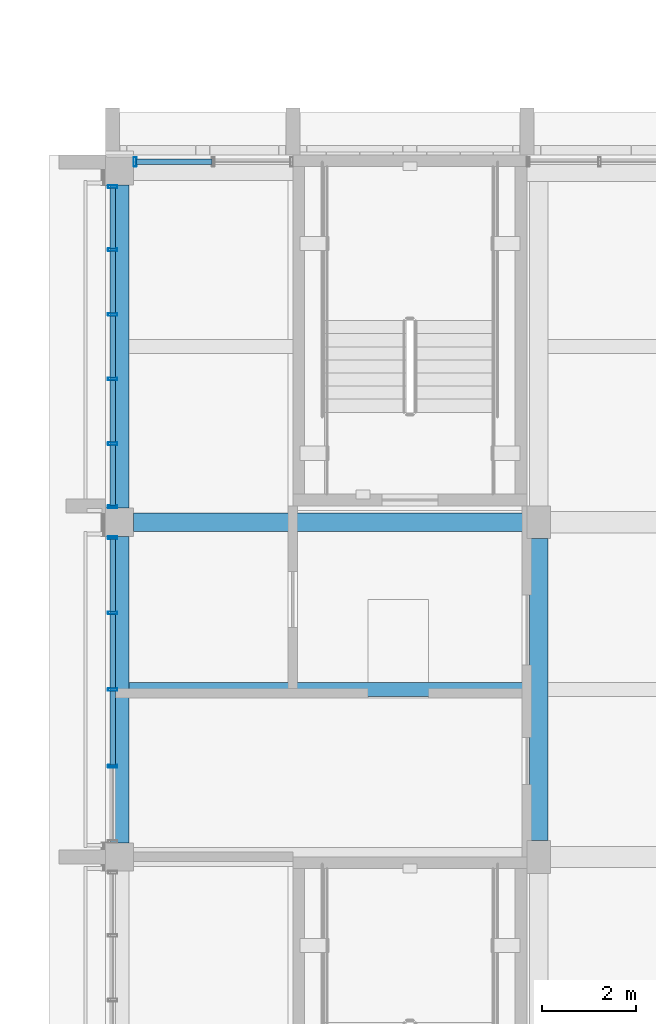
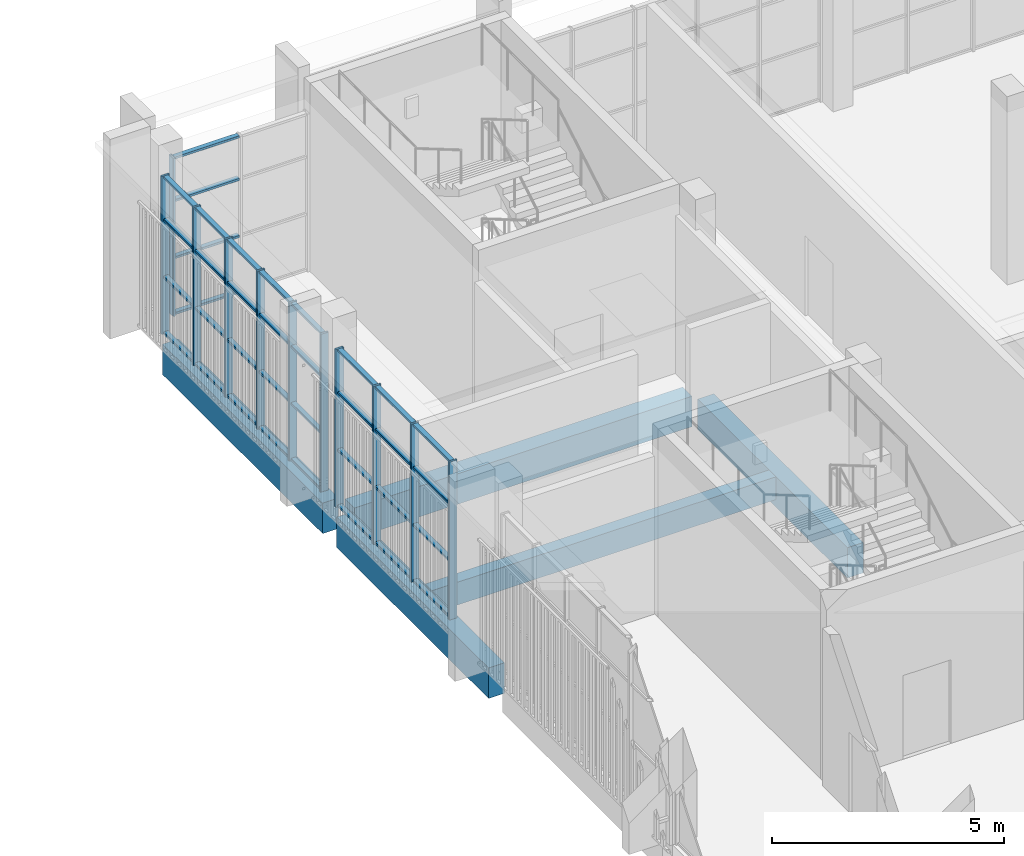
# One storey, part 49 of 125: 47 members, 5 beams, 3 elements without a shape of their own.
"""IFC4 building model written with IfcOpenShell, lengths in metres."""

import ifcopenshell
import ifcopenshell.guid

model = None  # the IFC model being written
_history = None  # IfcOwnerHistory: only IFC2X3 demands one
_inside = {}  # id of a spatial element -> (the spatial element, [elements in it])
_under = {}  # id of a project, library or spatial element -> (it, [spatial elements below it])
_declared = {}  # id of a project -> (the project, [libraries it declares])
_typed = {}  # id of a type object -> (the type object, [elements of that type])
_made_of = {}  # id of a material, layer set ... -> (it, [elements and type objects made of it])


def new_model(schema):
    """Start an empty IFC model of exactly this schema.

    Asked for "IFC4X3", IfcOpenShell would pick the latest addendum, in which some entities
    have other attributes; the version numbers below select the first issue.
    IFC2X3 requires an IfcOwnerHistory on every rooted entity: one is made here for all.
    """
    global model, _history
    if schema == "IFC4X3":
        model = ifcopenshell.file(schema_version=(4, 3, 0, 0))
    else:
        model = ifcopenshell.file(schema=schema)
    _inside.clear()
    _under.clear()
    _declared.clear()
    _typed.clear()
    _made_of.clear()
    _history = None
    if model.schema == "IFC2X3":
        org = make("IfcOrganization", Name="unknown")
        user = make(
            "IfcPersonAndOrganization",
            ThePerson=make("IfcPerson", FamilyName="unknown"),
            TheOrganization=org,
        )
        app = make(
            "IfcApplication",
            ApplicationDeveloper=org,
            Version="unknown",
            ApplicationFullName="unknown",
            ApplicationIdentifier="unknown",
        )
        _history = make(
            "IfcOwnerHistory",
            OwningUser=user,
            OwningApplication=app,
            ChangeAction="ADDED",
            CreationDate=0,
        )
    return model


def make(cls, **values):
    """One entity of the class cls with the attributes given. An attribute that is None is left unset."""
    return model.create_entity(
        cls, **{name: value for name, value in values.items() if value is not None}
    )


def rooted(cls, **values):
    """An entity with a GlobalId (a new one), such as an element, a storey or a relation."""
    return make(cls, GlobalId=ifcopenshell.guid.new(), OwnerHistory=_history, **values)


def si_unit(unit_type, name, prefix=None):
    """IfcSIUnit, for example si_unit("LENGTHUNIT", "METRE", prefix="MILLI")."""
    return make("IfcSIUnit", UnitType=unit_type, Prefix=prefix, Name=name)


def assignment(units):
    """IfcUnitAssignment: the units of a project."""
    return None if units is None else make("IfcUnitAssignment", Units=units)


def point(xyz):
    """IfcCartesianPoint."""
    return None if xyz is None else make("IfcCartesianPoint", Coordinates=xyz)


def direction(xyz):
    """IfcDirection."""
    return None if xyz is None else make("IfcDirection", DirectionRatios=xyz)


def frame(location, z_axis=None, x_axis=None):
    """IfcAxis2Placement3D, a coordinate frame: its origin and axes. An axis left out is left unset."""
    return make(
        "IfcAxis2Placement3D",
        Location=point(location),
        Axis=direction(z_axis),
        RefDirection=direction(x_axis),
    )


def frame_2d(location, x_axis=None):
    """IfcAxis2Placement2D, a coordinate frame in the plane: its origin and x axis."""
    return make(
        "IfcAxis2Placement2D", Location=point(location), RefDirection=direction(x_axis)
    )


def origin():
    """The frame at (0, 0, 0) with its axes left unset."""
    return frame((0.0, 0.0, 0.0))


def origin_2d():
    """The frame at (0, 0) in the plane with its x axis left unset."""
    return frame_2d((0.0, 0.0))


def place(relative_to, where):
    """IfcLocalPlacement: puts the frame where relative to a parent placement (None: the world)."""
    return make(
        "IfcLocalPlacement", PlacementRelTo=relative_to, RelativePlacement=where
    )


def context(
    kind, dimensions, precision=None, world=None, true_north=None, identifier=None
):
    """IfcGeometricRepresentationContext, for example the 3D "Model" context."""
    return make(
        "IfcGeometricRepresentationContext",
        ContextIdentifier=identifier,
        ContextType=kind,
        CoordinateSpaceDimension=dimensions,
        Precision=precision,
        WorldCoordinateSystem=world,
        TrueNorth=true_north,
    )


def subcontext(parent, identifier, kind, view, scale=None):
    """IfcGeometricRepresentationSubContext, for example "Body" below "Model"."""
    return make(
        "IfcGeometricRepresentationSubContext",
        ContextIdentifier=identifier,
        ContextType=kind,
        ParentContext=parent,
        TargetScale=scale,
        TargetView=view,
    )


def project(units=None, contexts=None):
    """IfcProject with its units and contexts."""
    return rooted(
        "IfcProject",
        Name="project",
        RepresentationContexts=contexts,
        UnitsInContext=assignment(units),
    )


def spatial(cls, under=None, at=None, **own):
    """A site, building, storey or space (cls), placed at a placement, below another one or the project."""
    s = rooted(cls, ObjectPlacement=at, **own)
    if under is not None:
        _under.setdefault(under.id(), (under, []))[1].append(s)
    return s


def profile(cls, at=None, kind="AREA", **sizes):
    """A parametric profile (cls). Its sizes go by their IFC names, for example OverallWidth=200.0."""
    return make(cls, ProfileType=kind, Position=at, **sizes)


def rectangle(**sizes):
    """IfcRectangleProfileDef."""
    return profile("IfcRectangleProfileDef", **sizes)


def hollow_rectangle(**sizes):
    """IfcRectangleHollowProfileDef."""
    return profile("IfcRectangleHollowProfileDef", **sizes)


def extrude(swept, where, along, depth):
    """IfcExtrudedAreaSolid: the profile swept, set in the frame where, extruded along a direction by depth."""
    return make(
        "IfcExtrudedAreaSolid",
        SweptArea=swept,
        Position=where,
        ExtrudedDirection=direction(along),
        Depth=depth,
    )


def shape(context_of_items, identifier, shape_type, items):
    """IfcShapeRepresentation: the items that make up one representation, for example the "Body"."""
    return make(
        "IfcShapeRepresentation",
        ContextOfItems=context_of_items,
        RepresentationIdentifier=identifier,
        RepresentationType=shape_type,
        Items=items,
    )


def material(Name=None, Category=None):
    """IfcMaterial."""
    return make("IfcMaterial", Name=Name, Category=Category)


def material_profile(
    of_material, cross_section, Name=None, Category=None, Priority=None
):
    """IfcMaterialProfile: a cross section and its material."""
    return make(
        "IfcMaterialProfile",
        Name=Name,
        Material=of_material,
        Profile=cross_section,
        Priority=Priority,
        Category=Category,
    )


def profile_set(profiles, Name=None, composite=None):
    """IfcMaterialProfileSet."""
    return make(
        "IfcMaterialProfileSet",
        Name=Name,
        MaterialProfiles=profiles,
        CompositeProfile=composite,
    )


def made_of(thing, what):
    """Note that an element or type object is made of a material, layer set ...; save() writes the relation."""
    if what is not None:
        _made_of.setdefault(what.id(), (what, []))[1].append(thing)
    return thing


def type_object(cls, material=None, **own):
    """A type object (cls), such as IfcWallType, which elements share."""
    return made_of(rooted(cls, **own), material)


def element(
    cls,
    number,
    at=None,
    inside=None,
    cuts=None,
    type_object=None,
    material=None,
    context=None,
    identifier="Body",
    shape_type=None,
    held_by="IfcProductDefinitionShape",
    body=None,
    shapes=None,
    **own,
):
    """One element of the class cls, such as IfcWall. Its Tag is "e" and its number.

    at: its placement. inside: the storey or other place that contains it. cuts: it is an
    opening in that element (IfcRelVoidsElement). A single representation is given by context,
    identifier, shape_type and body (its items); several are given by shapes. held_by: the class
    of the entity that holds the representations. save() writes the other relations.
    """
    e = rooted(cls, Tag="e%d" % number, ObjectPlacement=at, **own)
    if body is not None:
        shapes = [shape(context, identifier, shape_type, body)]
    if shapes is not None:
        e.Representation = make(held_by, Representations=shapes)
    if inside is not None:
        _inside.setdefault(inside.id(), (inside, []))[1].append(e)
    if cuts is not None:
        rooted(
            "IfcRelVoidsElement", RelatingBuildingElement=cuts, RelatedOpeningElement=e
        )
    if type_object is not None:
        _typed.setdefault(type_object.id(), (type_object, []))[1].append(e)
    return made_of(e, material)


def aggregate(whole, parts):
    """IfcRelAggregates: a whole, such as a stair, and the parts it consists of."""
    return rooted("IfcRelAggregates", RelatingObject=whole, RelatedObjects=parts)


def save(model, path):
    """Write the relations noted so far, then the file.

    IfcRelAggregates (storeys below a building ...), IfcRelContainedInSpatialStructure (elements
    in a storey), IfcRelDefinesByType, IfcRelAssociatesMaterial and IfcRelDeclares: one each for
    every whole, place, type object, material and project.
    """
    for whole, parts in _under.values():
        aggregate(whole, parts)
    for where, things in _inside.values():
        rooted(
            "IfcRelContainedInSpatialStructure",
            RelatedElements=things,
            RelatingStructure=where,
        )
    for kind, things in _typed.values():
        rooted("IfcRelDefinesByType", RelatedObjects=things, RelatingType=kind)
    for what, things in _made_of.values():
        rooted("IfcRelAssociatesMaterial", RelatedObjects=things, RelatingMaterial=what)
    for by, libraries in _declared.values():
        rooted("IfcRelDeclares", RelatingContext=by, RelatedDefinitions=libraries)
    model.write(path)


model = new_model("IFC4")

# Units and contexts
model_context = context("Model", 3, precision=1e-05, world=origin(), true_north=direction((0.0, 1.0)))
body_context = subcontext(model_context, "Body", "Model", "MODEL_VIEW")
ifc_project = project(units=[si_unit("LENGTHUNIT", "METRE"), si_unit("AREAUNIT", "SQUARE_METRE"), si_unit("VOLUMEUNIT", "CUBIC_METRE"), si_unit("PLANEANGLEUNIT", "RADIAN"), si_unit("MASSUNIT", "GRAM", prefix="KILO")], contexts=[model_context])

# Site, building, storey
site_placement = place(None, origin())
site = spatial("IfcSite", under=ifc_project, at=site_placement, CompositionType="ELEMENT")
building_placement = place(site_placement, origin())
building = spatial("IfcBuilding", under=site, at=building_placement, Name="Sun Court Science Centre", CompositionType="ELEMENT")
storey_placement = place(building_placement, frame((0.0, 0.0, 6.0)))
storey = spatial("IfcBuildingStorey", under=building, at=storey_placement, Name="L01", CompositionType="ELEMENT", Elevation=6.0)

# Curtain wall, members
ifc_material_1 = material(Name="Aluminium EN AW-6063 T6", Category="aluminium")
curtain_wall_type = type_object("IfcCurtainWallType", Name="Laboratory tall bay curtain wall 1500", PredefinedType="NOTDEFINED", material=ifc_material_1)
curtain_wall_1_placement = place(storey_placement, origin())
curtain_wall_1 = element("IfcCurtainWall", 1, at=curtain_wall_1_placement, inside=storey, type_object=curtain_wall_type, Name="Curtain wall V4 W L01 08", PredefinedType="NOTDEFINED")
ifc_material_2 = material(Name="Aluminium EN AW-6063 T6", Category="aluminium")
ifc_material_profile_1 = material_profile(ifc_material_2, hollow_rectangle(XDim=0.06005859375, YDim=0.199951171875, WallThickness=0.0048828125, InnerFilletRadius=0.0048828125, OuterFilletRadius=0.007568359375, at=origin_2d()), Name="AL 60x200x5")
ifc_profile_set_1 = profile_set([ifc_material_profile_1], Name="Aluminium EN AW-6063 T6")
member_type_1 = type_object("IfcMemberType", Name="Curtain wall mullion AL 60x200", PredefinedType="MULLION", material=ifc_profile_set_1)
member_1_placement = place(storey_placement, frame((78.14990234375, 67.9375, 0.0), z_axis=(0.0, 0.0, 1.0), x_axis=(0.0, 1.0, 0.0)))
member_1 = element("IfcMember", 2, at=member_1_placement, type_object=member_type_1, Name="CW2-17 mullion 2", PredefinedType="MULLION", context=body_context, shape_type="SweptSolid", body=[
    extrude(hollow_rectangle(XDim=0.06005859375, YDim=0.199951171875, WallThickness=0.0048828125, InnerFilletRadius=0.0048828125, OuterFilletRadius=0.007568359375, at=origin_2d()), origin(), (0.0, 0.0, 1.0), 4.14990234375),
])
member_2_placement = place(storey_placement, frame((78.14990234375, 69.574951171875, 0.0), z_axis=(0.0, 0.0, 1.0), x_axis=(0.0, 1.0, 0.0)))
member_2 = element("IfcMember", 3, at=member_2_placement, type_object=member_type_1, Name="CW2-17 mullion 3", PredefinedType="MULLION", context=body_context, shape_type="SweptSolid", body=[
    extrude(hollow_rectangle(XDim=0.06005859375, YDim=0.199951171875, WallThickness=0.0048828125, InnerFilletRadius=0.0048828125, OuterFilletRadius=0.007568359375, at=origin_2d()), origin(), (0.0, 0.0, 1.0), 4.14990234375),
])
member_3_placement = place(storey_placement, frame((78.14990234375, 71.21240234375, 0.0), z_axis=(0.0, 0.0, 1.0), x_axis=(0.0, 1.0, 0.0)))
member_3 = element("IfcMember", 4, at=member_3_placement, type_object=member_type_1, Name="CW2-17 mullion 4", PredefinedType="MULLION", context=body_context, shape_type="SweptSolid", body=[
    extrude(hollow_rectangle(XDim=0.06005859375, YDim=0.199951171875, WallThickness=0.0048828125, InnerFilletRadius=0.0048828125, OuterFilletRadius=0.007568359375, at=origin_2d()), origin(), (0.0, 0.0, 1.0), 4.14990234375),
])
member_4_placement = place(storey_placement, frame((78.14990234375, 72.820068359375, 0.0), z_axis=(0.0, 0.0, 1.0), x_axis=(0.0, 1.0, 0.0)))
member_4 = element("IfcMember", 5, at=member_4_placement, type_object=member_type_1, Name="CW2-17 mullion 5", PredefinedType="MULLION", context=body_context, shape_type="SweptSolid", body=[
    extrude(hollow_rectangle(XDim=0.06005859375, YDim=0.199951171875, WallThickness=0.0048828125, InnerFilletRadius=0.0048828125, OuterFilletRadius=0.007568359375, at=origin_2d()), origin(), (0.0, 0.0, 1.0), 4.14990234375),
])

curtain_wall_2_placement = place(storey_placement, origin())
curtain_wall_2 = element("IfcCurtainWall", 6, at=curtain_wall_2_placement, inside=storey, type_object=curtain_wall_type, Name="Curtain wall V4 W L01 09", PredefinedType="NOTDEFINED")
member_5_placement = place(storey_placement, frame((78.14990234375, 73.47998046875, 0.0), z_axis=(0.0, 0.0, 1.0), x_axis=(0.0, 1.0, 0.0)))
member_5 = element("IfcMember", 7, at=member_5_placement, type_object=member_type_1, Name="CW2-18 mullion 1", PredefinedType="MULLION", context=body_context, shape_type="SweptSolid", body=[
    extrude(hollow_rectangle(XDim=0.06005859375, YDim=0.199951171875, WallThickness=0.0048828125, InnerFilletRadius=0.0048828125, OuterFilletRadius=0.007568359375, at=origin_2d()), origin(), (0.0, 0.0, 1.0), 4.14990234375),
])
member_6_placement = place(storey_placement, frame((78.14990234375, 74.830078125, 0.0), z_axis=(0.0, 0.0, 1.0), x_axis=(0.0, 1.0, 0.0)))
member_6 = element("IfcMember", 8, at=member_6_placement, type_object=member_type_1, Name="CW2-18 mullion 2", PredefinedType="MULLION", context=body_context, shape_type="SweptSolid", body=[
    extrude(hollow_rectangle(XDim=0.06005859375, YDim=0.199951171875, WallThickness=0.0048828125, InnerFilletRadius=0.0048828125, OuterFilletRadius=0.007568359375, at=origin_2d()), origin(), (0.0, 0.0, 1.0), 4.14990234375),
])
member_7_placement = place(storey_placement, frame((78.14990234375, 76.2099609375, 0.0), z_axis=(0.0, 0.0, 1.0), x_axis=(0.0, 1.0, 0.0)))
member_7 = element("IfcMember", 9, at=member_7_placement, type_object=member_type_1, Name="CW2-18 mullion 3", PredefinedType="MULLION", context=body_context, shape_type="SweptSolid", body=[
    extrude(hollow_rectangle(XDim=0.06005859375, YDim=0.199951171875, WallThickness=0.0048828125, InnerFilletRadius=0.0048828125, OuterFilletRadius=0.007568359375, at=origin_2d()), origin(), (0.0, 0.0, 1.0), 4.14990234375),
])
member_8_placement = place(storey_placement, frame((78.14990234375, 77.590087890625, 0.0), z_axis=(0.0, 0.0, 1.0), x_axis=(0.0, 1.0, 0.0)))
member_8 = element("IfcMember", 10, at=member_8_placement, type_object=member_type_1, Name="CW2-18 mullion 4", PredefinedType="MULLION", context=body_context, shape_type="SweptSolid", body=[
    extrude(hollow_rectangle(XDim=0.06005859375, YDim=0.199951171875, WallThickness=0.0048828125, InnerFilletRadius=0.0048828125, OuterFilletRadius=0.007568359375, at=origin_2d()), origin(), (0.0, 0.0, 1.0), 4.14990234375),
])
member_9_placement = place(storey_placement, frame((78.14990234375, 78.969970703125, 0.0), z_axis=(0.0, 0.0, 1.0), x_axis=(0.0, 1.0, 0.0)))
member_9 = element("IfcMember", 11, at=member_9_placement, type_object=member_type_1, Name="CW2-18 mullion 5", PredefinedType="MULLION", context=body_context, shape_type="SweptSolid", body=[
    extrude(hollow_rectangle(XDim=0.06005859375, YDim=0.199951171875, WallThickness=0.0048828125, InnerFilletRadius=0.0048828125, OuterFilletRadius=0.007568359375, at=origin_2d()), origin(), (0.0, 0.0, 1.0), 4.14990234375),
])
member_10_placement = place(storey_placement, frame((78.14990234375, 80.320068359375, 0.0), z_axis=(0.0, 0.0, 1.0), x_axis=(0.0, 1.0, 0.0)))
member_10 = element("IfcMember", 12, at=member_10_placement, type_object=member_type_1, Name="CW2-18 mullion 6", PredefinedType="MULLION", context=body_context, shape_type="SweptSolid", body=[
    extrude(hollow_rectangle(XDim=0.06005859375, YDim=0.199951171875, WallThickness=0.0048828125, InnerFilletRadius=0.0048828125, OuterFilletRadius=0.007568359375, at=origin_2d()), origin(), (0.0, 0.0, 1.0), 4.14990234375),
])

# Curtain wall, member
curtain_wall_3_placement = place(storey_placement, origin())
curtain_wall_3 = element("IfcCurtainWall", 13, at=curtain_wall_3_placement, inside=storey, type_object=curtain_wall_type, Name="Curtain wall V4 N L01 01", PredefinedType="NOTDEFINED")
member_11_placement = place(storey_placement, frame((78.6298828125, 80.85009765625, 0.0), z_axis=(0.0, 0.0, 1.0), x_axis=(1.0, 0.0, 0.0)))
member_11 = element("IfcMember", 14, at=member_11_placement, type_object=member_type_1, Name="CW2-64 mullion 1", PredefinedType="MULLION", context=body_context, shape_type="SweptSolid", body=[
    extrude(hollow_rectangle(XDim=0.06005859375, YDim=0.199951171875, WallThickness=0.0048828125, InnerFilletRadius=0.0048828125, OuterFilletRadius=0.007568359375, at=origin_2d()), origin(), (0.0, 0.0, 1.0), 4.14990234375),
])

# Member
ifc_material_3 = material(Name="Aluminium EN AW-6063 T6", Category="aluminium")
ifc_material_profile_2 = material_profile(ifc_material_3, hollow_rectangle(XDim=0.06005859375, YDim=0.1201171875, WallThickness=0.00390625, InnerFilletRadius=0.00390625, OuterFilletRadius=0.006103515625, at=origin_2d()), Name="AL 60x120x4")
ifc_profile_set_2 = profile_set([ifc_material_profile_2], Name="Aluminium EN AW-6063 T6")
member_type_2 = type_object("IfcMemberType", Name="Curtain wall transom AL 60x120", PredefinedType="USERDEFINED", material=ifc_profile_set_2)
member_12_placement = place(storey_placement, frame((78.14990234375, 67.967529296875, 0.030029296875), z_axis=(0.0, 1.0, 0.0), x_axis=(0.0, 0.0, 1.0)))
member_12 = element("IfcMember", 15, at=member_12_placement, type_object=member_type_2, Name="CW2-17 transom 2.1", ObjectType="TRANSOM", PredefinedType="USERDEFINED", context=body_context, shape_type="SweptSolid", body=[
    extrude(hollow_rectangle(XDim=0.06005859375, YDim=0.1201171875, WallThickness=0.00390625, InnerFilletRadius=0.00390625, OuterFilletRadius=0.006103515625, at=origin_2d()), origin(), (0.0, 0.0, 1.0), 1.577392578125),
])

member_13_placement = place(storey_placement, frame((78.14990234375, 69.60498046875, 0.030029296875), z_axis=(0.0, 1.0, 0.0), x_axis=(0.0, 0.0, 1.0)))
member_13 = element("IfcMember", 16, at=member_13_placement, type_object=member_type_2, Name="CW2-17 transom 3.1", ObjectType="TRANSOM", PredefinedType="USERDEFINED", context=body_context, shape_type="SweptSolid", body=[
    extrude(hollow_rectangle(XDim=0.06005859375, YDim=0.1201171875, WallThickness=0.00390625, InnerFilletRadius=0.00390625, OuterFilletRadius=0.006103515625, at=origin_2d()), origin(), (0.0, 0.0, 1.0), 1.57763671875),
])

member_14_placement = place(storey_placement, frame((78.14990234375, 71.242431640625, 0.030029296875), z_axis=(0.0, 1.0, 0.0), x_axis=(0.0, 0.0, 1.0)))
member_14 = element("IfcMember", 17, at=member_14_placement, type_object=member_type_2, Name="CW2-17 transom 4.1", ObjectType="TRANSOM", PredefinedType="USERDEFINED", context=body_context, shape_type="SweptSolid", body=[
    extrude(hollow_rectangle(XDim=0.06005859375, YDim=0.1201171875, WallThickness=0.00390625, InnerFilletRadius=0.00390625, OuterFilletRadius=0.006103515625, at=origin_2d()), origin(), (0.0, 0.0, 1.0), 1.547607421875),
])

member_15_placement = place(storey_placement, frame((78.14990234375, 67.967529296875, 1.5), z_axis=(0.0, 1.0, 0.0), x_axis=(0.0, 0.0, 1.0)))
member_15 = element("IfcMember", 18, at=member_15_placement, type_object=member_type_2, Name="CW2-17 transom 2.2", ObjectType="TRANSOM", PredefinedType="USERDEFINED", context=body_context, shape_type="SweptSolid", body=[
    extrude(hollow_rectangle(XDim=0.06005859375, YDim=0.1201171875, WallThickness=0.00390625, InnerFilletRadius=0.00390625, OuterFilletRadius=0.006103515625, at=origin_2d()), origin(), (0.0, 0.0, 1.0), 1.577392578125),
])

member_16_placement = place(storey_placement, frame((78.14990234375, 69.60498046875, 1.5), z_axis=(0.0, 1.0, 0.0), x_axis=(0.0, 0.0, 1.0)))
member_16 = element("IfcMember", 19, at=member_16_placement, type_object=member_type_2, Name="CW2-17 transom 3.2", ObjectType="TRANSOM", PredefinedType="USERDEFINED", context=body_context, shape_type="SweptSolid", body=[
    extrude(hollow_rectangle(XDim=0.06005859375, YDim=0.1201171875, WallThickness=0.00390625, InnerFilletRadius=0.00390625, OuterFilletRadius=0.006103515625, at=origin_2d()), origin(), (0.0, 0.0, 1.0), 1.57763671875),
])

member_17_placement = place(storey_placement, frame((78.14990234375, 71.242431640625, 1.5), z_axis=(0.0, 1.0, 0.0), x_axis=(0.0, 0.0, 1.0)))
member_17 = element("IfcMember", 20, at=member_17_placement, type_object=member_type_2, Name="CW2-17 transom 4.2", ObjectType="TRANSOM", PredefinedType="USERDEFINED", context=body_context, shape_type="SweptSolid", body=[
    extrude(hollow_rectangle(XDim=0.06005859375, YDim=0.1201171875, WallThickness=0.00390625, InnerFilletRadius=0.00390625, OuterFilletRadius=0.006103515625, at=origin_2d()), origin(), (0.0, 0.0, 1.0), 1.547607421875),
])

member_18_placement = place(storey_placement, frame((78.14990234375, 67.967529296875, 3.0), z_axis=(0.0, 1.0, 0.0), x_axis=(0.0, 0.0, 1.0)))
member_18 = element("IfcMember", 21, at=member_18_placement, type_object=member_type_2, Name="CW2-17 transom 2.3", ObjectType="TRANSOM", PredefinedType="USERDEFINED", context=body_context, shape_type="SweptSolid", body=[
    extrude(hollow_rectangle(XDim=0.06005859375, YDim=0.1201171875, WallThickness=0.00390625, InnerFilletRadius=0.00390625, OuterFilletRadius=0.006103515625, at=origin_2d()), origin(), (0.0, 0.0, 1.0), 1.577392578125),
])

member_19_placement = place(storey_placement, frame((78.14990234375, 69.60498046875, 3.0), z_axis=(0.0, 1.0, 0.0), x_axis=(0.0, 0.0, 1.0)))
member_19 = element("IfcMember", 22, at=member_19_placement, type_object=member_type_2, Name="CW2-17 transom 3.3", ObjectType="TRANSOM", PredefinedType="USERDEFINED", context=body_context, shape_type="SweptSolid", body=[
    extrude(hollow_rectangle(XDim=0.06005859375, YDim=0.1201171875, WallThickness=0.00390625, InnerFilletRadius=0.00390625, OuterFilletRadius=0.006103515625, at=origin_2d()), origin(), (0.0, 0.0, 1.0), 1.57763671875),
])

member_20_placement = place(storey_placement, frame((78.14990234375, 71.242431640625, 3.0), z_axis=(0.0, 1.0, 0.0), x_axis=(0.0, 0.0, 1.0)))
member_20 = element("IfcMember", 23, at=member_20_placement, type_object=member_type_2, Name="CW2-17 transom 4.3", ObjectType="TRANSOM", PredefinedType="USERDEFINED", context=body_context, shape_type="SweptSolid", body=[
    extrude(hollow_rectangle(XDim=0.06005859375, YDim=0.1201171875, WallThickness=0.00390625, InnerFilletRadius=0.00390625, OuterFilletRadius=0.006103515625, at=origin_2d()), origin(), (0.0, 0.0, 1.0), 1.547607421875),
])

member_21_placement = place(storey_placement, frame((78.14990234375, 67.967529296875, 4.1201171875), z_axis=(0.0, 1.0, 0.0), x_axis=(0.0, 0.0, 1.0)))
member_21 = element("IfcMember", 24, at=member_21_placement, type_object=member_type_2, Name="CW2-17 transom 2.4", ObjectType="TRANSOM", PredefinedType="USERDEFINED", context=body_context, shape_type="SweptSolid", body=[
    extrude(hollow_rectangle(XDim=0.06005859375, YDim=0.1201171875, WallThickness=0.00390625, InnerFilletRadius=0.00390625, OuterFilletRadius=0.006103515625, at=origin_2d()), origin(), (0.0, 0.0, 1.0), 1.577392578125),
])

member_22_placement = place(storey_placement, frame((78.14990234375, 69.60498046875, 4.1201171875), z_axis=(0.0, 1.0, 0.0), x_axis=(0.0, 0.0, 1.0)))
member_22 = element("IfcMember", 25, at=member_22_placement, type_object=member_type_2, Name="CW2-17 transom 3.4", ObjectType="TRANSOM", PredefinedType="USERDEFINED", context=body_context, shape_type="SweptSolid", body=[
    extrude(hollow_rectangle(XDim=0.06005859375, YDim=0.1201171875, WallThickness=0.00390625, InnerFilletRadius=0.00390625, OuterFilletRadius=0.006103515625, at=origin_2d()), origin(), (0.0, 0.0, 1.0), 1.57763671875),
])

member_23_placement = place(storey_placement, frame((78.14990234375, 71.242431640625, 4.1201171875), z_axis=(0.0, 1.0, 0.0), x_axis=(0.0, 0.0, 1.0)))
member_23 = element("IfcMember", 26, at=member_23_placement, type_object=member_type_2, Name="CW2-17 transom 4.4", ObjectType="TRANSOM", PredefinedType="USERDEFINED", context=body_context, shape_type="SweptSolid", body=[
    extrude(hollow_rectangle(XDim=0.06005859375, YDim=0.1201171875, WallThickness=0.00390625, InnerFilletRadius=0.00390625, OuterFilletRadius=0.006103515625, at=origin_2d()), origin(), (0.0, 0.0, 1.0), 1.547607421875),
])

aggregate(curtain_wall_1, [member_1, member_2, member_3, member_4, member_12, member_13, member_14, member_15, member_16, member_17, member_18, member_19, member_20, member_21, member_22, member_23])

member_24_placement = place(storey_placement, frame((78.14990234375, 73.510009765625, 0.030029296875), z_axis=(0.0, 1.0, 0.0), x_axis=(0.0, 0.0, 1.0)))
member_24 = element("IfcMember", 27, at=member_24_placement, type_object=member_type_2, Name="CW2-18 transom 1.1", ObjectType="TRANSOM", PredefinedType="USERDEFINED", context=body_context, shape_type="SweptSolid", body=[
    extrude(hollow_rectangle(XDim=0.06005859375, YDim=0.1201171875, WallThickness=0.00390625, InnerFilletRadius=0.00390625, OuterFilletRadius=0.006103515625, at=origin_2d()), origin(), (0.0, 0.0, 1.0), 1.2900390625),
])

member_25_placement = place(storey_placement, frame((78.14990234375, 74.860107421875, 0.030029296875), z_axis=(0.0, 1.0, 0.0), x_axis=(0.0, 0.0, 1.0)))
member_25 = element("IfcMember", 28, at=member_25_placement, type_object=member_type_2, Name="CW2-18 transom 2.1", ObjectType="TRANSOM", PredefinedType="USERDEFINED", context=body_context, shape_type="SweptSolid", body=[
    extrude(hollow_rectangle(XDim=0.06005859375, YDim=0.1201171875, WallThickness=0.00390625, InnerFilletRadius=0.00390625, OuterFilletRadius=0.006103515625, at=origin_2d()), origin(), (0.0, 0.0, 1.0), 1.31982421875),
])

member_26_placement = place(storey_placement, frame((78.14990234375, 76.239990234375, 0.030029296875), z_axis=(0.0, 1.0, 0.0), x_axis=(0.0, 0.0, 1.0)))
member_26 = element("IfcMember", 29, at=member_26_placement, type_object=member_type_2, Name="CW2-18 transom 3.1", ObjectType="TRANSOM", PredefinedType="USERDEFINED", context=body_context, shape_type="SweptSolid", body=[
    extrude(hollow_rectangle(XDim=0.06005859375, YDim=0.1201171875, WallThickness=0.00390625, InnerFilletRadius=0.00390625, OuterFilletRadius=0.006103515625, at=origin_2d()), origin(), (0.0, 0.0, 1.0), 1.320068359375),
])

member_27_placement = place(storey_placement, frame((78.14990234375, 77.6201171875, 0.030029296875), z_axis=(0.0, 1.0, 0.0), x_axis=(0.0, 0.0, 1.0)))
member_27 = element("IfcMember", 30, at=member_27_placement, type_object=member_type_2, Name="CW2-18 transom 4.1", ObjectType="TRANSOM", PredefinedType="USERDEFINED", context=body_context, shape_type="SweptSolid", body=[
    extrude(hollow_rectangle(XDim=0.06005859375, YDim=0.1201171875, WallThickness=0.00390625, InnerFilletRadius=0.00390625, OuterFilletRadius=0.006103515625, at=origin_2d()), origin(), (0.0, 0.0, 1.0), 1.31982421875),
])

member_28_placement = place(storey_placement, frame((78.14990234375, 79.0, 0.030029296875), z_axis=(0.0, 1.0, 0.0), x_axis=(0.0, 0.0, 1.0)))
member_28 = element("IfcMember", 31, at=member_28_placement, type_object=member_type_2, Name="CW2-18 transom 5.1", ObjectType="TRANSOM", PredefinedType="USERDEFINED", context=body_context, shape_type="SweptSolid", body=[
    extrude(hollow_rectangle(XDim=0.06005859375, YDim=0.1201171875, WallThickness=0.00390625, InnerFilletRadius=0.00390625, OuterFilletRadius=0.006103515625, at=origin_2d()), origin(), (0.0, 0.0, 1.0), 1.2900390625),
])

member_29_placement = place(storey_placement, frame((78.14990234375, 73.510009765625, 1.5), z_axis=(0.0, 1.0, 0.0), x_axis=(0.0, 0.0, 1.0)))
member_29 = element("IfcMember", 32, at=member_29_placement, type_object=member_type_2, Name="CW2-18 transom 1.2", ObjectType="TRANSOM", PredefinedType="USERDEFINED", context=body_context, shape_type="SweptSolid", body=[
    extrude(hollow_rectangle(XDim=0.06005859375, YDim=0.1201171875, WallThickness=0.00390625, InnerFilletRadius=0.00390625, OuterFilletRadius=0.006103515625, at=origin_2d()), origin(), (0.0, 0.0, 1.0), 1.2900390625),
])

member_30_placement = place(storey_placement, frame((78.14990234375, 74.860107421875, 1.5), z_axis=(0.0, 1.0, 0.0), x_axis=(0.0, 0.0, 1.0)))
member_30 = element("IfcMember", 33, at=member_30_placement, type_object=member_type_2, Name="CW2-18 transom 2.2", ObjectType="TRANSOM", PredefinedType="USERDEFINED", context=body_context, shape_type="SweptSolid", body=[
    extrude(hollow_rectangle(XDim=0.06005859375, YDim=0.1201171875, WallThickness=0.00390625, InnerFilletRadius=0.00390625, OuterFilletRadius=0.006103515625, at=origin_2d()), origin(), (0.0, 0.0, 1.0), 1.31982421875),
])

member_31_placement = place(storey_placement, frame((78.14990234375, 76.239990234375, 1.5), z_axis=(0.0, 1.0, 0.0), x_axis=(0.0, 0.0, 1.0)))
member_31 = element("IfcMember", 34, at=member_31_placement, type_object=member_type_2, Name="CW2-18 transom 3.2", ObjectType="TRANSOM", PredefinedType="USERDEFINED", context=body_context, shape_type="SweptSolid", body=[
    extrude(hollow_rectangle(XDim=0.06005859375, YDim=0.1201171875, WallThickness=0.00390625, InnerFilletRadius=0.00390625, OuterFilletRadius=0.006103515625, at=origin_2d()), origin(), (0.0, 0.0, 1.0), 1.320068359375),
])

member_32_placement = place(storey_placement, frame((78.14990234375, 77.6201171875, 1.5), z_axis=(0.0, 1.0, 0.0), x_axis=(0.0, 0.0, 1.0)))
member_32 = element("IfcMember", 35, at=member_32_placement, type_object=member_type_2, Name="CW2-18 transom 4.2", ObjectType="TRANSOM", PredefinedType="USERDEFINED", context=body_context, shape_type="SweptSolid", body=[
    extrude(hollow_rectangle(XDim=0.06005859375, YDim=0.1201171875, WallThickness=0.00390625, InnerFilletRadius=0.00390625, OuterFilletRadius=0.006103515625, at=origin_2d()), origin(), (0.0, 0.0, 1.0), 1.31982421875),
])

member_33_placement = place(storey_placement, frame((78.14990234375, 79.0, 1.5), z_axis=(0.0, 1.0, 0.0), x_axis=(0.0, 0.0, 1.0)))
member_33 = element("IfcMember", 36, at=member_33_placement, type_object=member_type_2, Name="CW2-18 transom 5.2", ObjectType="TRANSOM", PredefinedType="USERDEFINED", context=body_context, shape_type="SweptSolid", body=[
    extrude(hollow_rectangle(XDim=0.06005859375, YDim=0.1201171875, WallThickness=0.00390625, InnerFilletRadius=0.00390625, OuterFilletRadius=0.006103515625, at=origin_2d()), origin(), (0.0, 0.0, 1.0), 1.2900390625),
])

member_34_placement = place(storey_placement, frame((78.14990234375, 73.510009765625, 3.0), z_axis=(0.0, 1.0, 0.0), x_axis=(0.0, 0.0, 1.0)))
member_34 = element("IfcMember", 37, at=member_34_placement, type_object=member_type_2, Name="CW2-18 transom 1.3", ObjectType="TRANSOM", PredefinedType="USERDEFINED", context=body_context, shape_type="SweptSolid", body=[
    extrude(hollow_rectangle(XDim=0.06005859375, YDim=0.1201171875, WallThickness=0.00390625, InnerFilletRadius=0.00390625, OuterFilletRadius=0.006103515625, at=origin_2d()), origin(), (0.0, 0.0, 1.0), 1.2900390625),
])

member_35_placement = place(storey_placement, frame((78.14990234375, 74.860107421875, 3.0), z_axis=(0.0, 1.0, 0.0), x_axis=(0.0, 0.0, 1.0)))
member_35 = element("IfcMember", 38, at=member_35_placement, type_object=member_type_2, Name="CW2-18 transom 2.3", ObjectType="TRANSOM", PredefinedType="USERDEFINED", context=body_context, shape_type="SweptSolid", body=[
    extrude(hollow_rectangle(XDim=0.06005859375, YDim=0.1201171875, WallThickness=0.00390625, InnerFilletRadius=0.00390625, OuterFilletRadius=0.006103515625, at=origin_2d()), origin(), (0.0, 0.0, 1.0), 1.31982421875),
])

member_36_placement = place(storey_placement, frame((78.14990234375, 76.239990234375, 3.0), z_axis=(0.0, 1.0, 0.0), x_axis=(0.0, 0.0, 1.0)))
member_36 = element("IfcMember", 39, at=member_36_placement, type_object=member_type_2, Name="CW2-18 transom 3.3", ObjectType="TRANSOM", PredefinedType="USERDEFINED", context=body_context, shape_type="SweptSolid", body=[
    extrude(hollow_rectangle(XDim=0.06005859375, YDim=0.1201171875, WallThickness=0.00390625, InnerFilletRadius=0.00390625, OuterFilletRadius=0.006103515625, at=origin_2d()), origin(), (0.0, 0.0, 1.0), 1.320068359375),
])

member_37_placement = place(storey_placement, frame((78.14990234375, 77.6201171875, 3.0), z_axis=(0.0, 1.0, 0.0), x_axis=(0.0, 0.0, 1.0)))
member_37 = element("IfcMember", 40, at=member_37_placement, type_object=member_type_2, Name="CW2-18 transom 4.3", ObjectType="TRANSOM", PredefinedType="USERDEFINED", context=body_context, shape_type="SweptSolid", body=[
    extrude(hollow_rectangle(XDim=0.06005859375, YDim=0.1201171875, WallThickness=0.00390625, InnerFilletRadius=0.00390625, OuterFilletRadius=0.006103515625, at=origin_2d()), origin(), (0.0, 0.0, 1.0), 1.31982421875),
])

member_38_placement = place(storey_placement, frame((78.14990234375, 79.0, 3.0), z_axis=(0.0, 1.0, 0.0), x_axis=(0.0, 0.0, 1.0)))
member_38 = element("IfcMember", 41, at=member_38_placement, type_object=member_type_2, Name="CW2-18 transom 5.3", ObjectType="TRANSOM", PredefinedType="USERDEFINED", context=body_context, shape_type="SweptSolid", body=[
    extrude(hollow_rectangle(XDim=0.06005859375, YDim=0.1201171875, WallThickness=0.00390625, InnerFilletRadius=0.00390625, OuterFilletRadius=0.006103515625, at=origin_2d()), origin(), (0.0, 0.0, 1.0), 1.2900390625),
])

member_39_placement = place(storey_placement, frame((78.14990234375, 73.510009765625, 4.1201171875), z_axis=(0.0, 1.0, 0.0), x_axis=(0.0, 0.0, 1.0)))
member_39 = element("IfcMember", 42, at=member_39_placement, type_object=member_type_2, Name="CW2-18 transom 1.4", ObjectType="TRANSOM", PredefinedType="USERDEFINED", context=body_context, shape_type="SweptSolid", body=[
    extrude(hollow_rectangle(XDim=0.06005859375, YDim=0.1201171875, WallThickness=0.00390625, InnerFilletRadius=0.00390625, OuterFilletRadius=0.006103515625, at=origin_2d()), origin(), (0.0, 0.0, 1.0), 1.2900390625),
])

member_40_placement = place(storey_placement, frame((78.14990234375, 74.860107421875, 4.1201171875), z_axis=(0.0, 1.0, 0.0), x_axis=(0.0, 0.0, 1.0)))
member_40 = element("IfcMember", 43, at=member_40_placement, type_object=member_type_2, Name="CW2-18 transom 2.4", ObjectType="TRANSOM", PredefinedType="USERDEFINED", context=body_context, shape_type="SweptSolid", body=[
    extrude(hollow_rectangle(XDim=0.06005859375, YDim=0.1201171875, WallThickness=0.00390625, InnerFilletRadius=0.00390625, OuterFilletRadius=0.006103515625, at=origin_2d()), origin(), (0.0, 0.0, 1.0), 1.31982421875),
])

member_41_placement = place(storey_placement, frame((78.14990234375, 76.239990234375, 4.1201171875), z_axis=(0.0, 1.0, 0.0), x_axis=(0.0, 0.0, 1.0)))
member_41 = element("IfcMember", 44, at=member_41_placement, type_object=member_type_2, Name="CW2-18 transom 3.4", ObjectType="TRANSOM", PredefinedType="USERDEFINED", context=body_context, shape_type="SweptSolid", body=[
    extrude(hollow_rectangle(XDim=0.06005859375, YDim=0.1201171875, WallThickness=0.00390625, InnerFilletRadius=0.00390625, OuterFilletRadius=0.006103515625, at=origin_2d()), origin(), (0.0, 0.0, 1.0), 1.320068359375),
])

member_42_placement = place(storey_placement, frame((78.14990234375, 77.6201171875, 4.1201171875), z_axis=(0.0, 1.0, 0.0), x_axis=(0.0, 0.0, 1.0)))
member_42 = element("IfcMember", 45, at=member_42_placement, type_object=member_type_2, Name="CW2-18 transom 4.4", ObjectType="TRANSOM", PredefinedType="USERDEFINED", context=body_context, shape_type="SweptSolid", body=[
    extrude(hollow_rectangle(XDim=0.06005859375, YDim=0.1201171875, WallThickness=0.00390625, InnerFilletRadius=0.00390625, OuterFilletRadius=0.006103515625, at=origin_2d()), origin(), (0.0, 0.0, 1.0), 1.31982421875),
])

member_43_placement = place(storey_placement, frame((78.14990234375, 79.0, 4.1201171875), z_axis=(0.0, 1.0, 0.0), x_axis=(0.0, 0.0, 1.0)))
member_43 = element("IfcMember", 46, at=member_43_placement, type_object=member_type_2, Name="CW2-18 transom 5.4", ObjectType="TRANSOM", PredefinedType="USERDEFINED", context=body_context, shape_type="SweptSolid", body=[
    extrude(hollow_rectangle(XDim=0.06005859375, YDim=0.1201171875, WallThickness=0.00390625, InnerFilletRadius=0.00390625, OuterFilletRadius=0.006103515625, at=origin_2d()), origin(), (0.0, 0.0, 1.0), 1.2900390625),
])

aggregate(curtain_wall_2, [member_5, member_6, member_7, member_8, member_9, member_10, member_24, member_25, member_26, member_27, member_28, member_29, member_30, member_31, member_32, member_33, member_34, member_35, member_36, member_37, member_38, member_39, member_40, member_41, member_42, member_43])

member_44_placement = place(storey_placement, frame((78.659912109375, 80.85009765625, 0.030029296875), z_axis=(1.0, 0.0, 0.0), x_axis=(0.0, 0.0, 1.0)))
member_44 = element("IfcMember", 47, at=member_44_placement, type_object=member_type_2, Name="CW2-64 transom 1.1", ObjectType="TRANSOM", PredefinedType="USERDEFINED", context=body_context, shape_type="SweptSolid", body=[
    extrude(hollow_rectangle(XDim=0.06005859375, YDim=0.1201171875, WallThickness=0.00390625, InnerFilletRadius=0.00390625, OuterFilletRadius=0.006103515625, at=origin_2d()), origin(), (0.0, 0.0, 1.0), 1.610107421875),
])

member_45_placement = place(storey_placement, frame((78.659912109375, 80.85009765625, 1.5), z_axis=(1.0, 0.0, 0.0), x_axis=(0.0, 0.0, 1.0)))
member_45 = element("IfcMember", 48, at=member_45_placement, type_object=member_type_2, Name="CW2-64 transom 1.2", ObjectType="TRANSOM", PredefinedType="USERDEFINED", context=body_context, shape_type="SweptSolid", body=[
    extrude(hollow_rectangle(XDim=0.06005859375, YDim=0.1201171875, WallThickness=0.00390625, InnerFilletRadius=0.00390625, OuterFilletRadius=0.006103515625, at=origin_2d()), origin(), (0.0, 0.0, 1.0), 1.610107421875),
])

member_46_placement = place(storey_placement, frame((78.659912109375, 80.85009765625, 3.0), z_axis=(1.0, 0.0, 0.0), x_axis=(0.0, 0.0, 1.0)))
member_46 = element("IfcMember", 49, at=member_46_placement, type_object=member_type_2, Name="CW2-64 transom 1.3", ObjectType="TRANSOM", PredefinedType="USERDEFINED", context=body_context, shape_type="SweptSolid", body=[
    extrude(hollow_rectangle(XDim=0.06005859375, YDim=0.1201171875, WallThickness=0.00390625, InnerFilletRadius=0.00390625, OuterFilletRadius=0.006103515625, at=origin_2d()), origin(), (0.0, 0.0, 1.0), 1.610107421875),
])

member_47_placement = place(storey_placement, frame((78.659912109375, 80.85009765625, 4.1201171875), z_axis=(1.0, 0.0, 0.0), x_axis=(0.0, 0.0, 1.0)))
member_47 = element("IfcMember", 50, at=member_47_placement, type_object=member_type_2, Name="CW2-64 transom 1.4", ObjectType="TRANSOM", PredefinedType="USERDEFINED", context=body_context, shape_type="SweptSolid", body=[
    extrude(hollow_rectangle(XDim=0.06005859375, YDim=0.1201171875, WallThickness=0.00390625, InnerFilletRadius=0.00390625, OuterFilletRadius=0.006103515625, at=origin_2d()), origin(), (0.0, 0.0, 1.0), 1.610107421875),
])

aggregate(curtain_wall_3, [member_11, member_44, member_45, member_46, member_47])

# Beams
ifc_material_4 = material(Name="Concrete C25/30", Category="concrete")
ifc_material_profile_3 = material_profile(ifc_material_4, rectangle(XDim=0.39990234375, YDim=0.800048828125, at=origin_2d()), Name="RC 400x800")
ifc_profile_set_3 = profile_set([ifc_material_profile_3], Name="Concrete C25/30")
beam_type_1 = type_object("IfcBeamType", Name="RC girder 400x800", PredefinedType="BEAM", material=ifc_profile_set_3)
beam_1_placement = place(storey_placement, frame((78.60009765625, 73.14990234375, -0.699951171875), z_axis=(1.0, 0.0, 0.0), x_axis=(0.0, 1.0, 0.0)))
element("IfcBeam", 51, at=beam_1_placement, inside=storey, type_object=beam_type_1, Name="Girder L01 row 10", PredefinedType="BEAM", context=body_context, shape_type="SweptSolid", body=[
    extrude(rectangle(XDim=0.39990234375, YDim=0.800048828125, at=origin_2d()), origin(), (0.0, 0.0, 1.0), 8.39990234375),
])
beam_2_placement = place(storey_placement, frame((78.300048828125, 66.300048828125, -0.699951171875), z_axis=(0.0, 1.0, 0.0), x_axis=(-1.0, 0.0, 0.0)))
element("IfcBeam", 52, at=beam_2_placement, inside=storey, type_object=beam_type_1, Name="Girder L01 line 1", PredefinedType="BEAM", context=body_context, shape_type="SweptSolid", body=[
    extrude(rectangle(XDim=0.39990234375, YDim=0.800048828125, at=origin_2d()), origin(), (0.0, 0.0, 1.0), 6.550048828125),
])
beam_3_placement = place(storey_placement, frame((78.300048828125, 73.449951171875, -0.699951171875), z_axis=(0.0, 1.0, 0.0), x_axis=(-1.0, 0.0, 0.0)))
element("IfcBeam", 53, at=beam_3_placement, inside=storey, type_object=beam_type_1, Name="Girder L01 line 1", PredefinedType="BEAM", context=body_context, shape_type="SweptSolid", body=[
    extrude(rectangle(XDim=0.39990234375, YDim=0.800048828125, at=origin_2d()), origin(), (0.0, 0.0, 1.0), 6.900146484375),
])
beam_4_placement = place(storey_placement, frame((87.25, 66.35009765625, -0.699951171875), z_axis=(0.0, 1.0, 0.0), x_axis=(-1.0, 0.0, 0.0)))
element("IfcBeam", 54, at=beam_4_placement, inside=storey, type_object=beam_type_1, Name="Girder L01 line 2", PredefinedType="BEAM", context=body_context, shape_type="SweptSolid", body=[
    extrude(rectangle(XDim=0.39990234375, YDim=0.800048828125, at=origin_2d()), origin(), (0.0, 0.0, 1.0), 6.449951171875),
])
ifc_material_5 = material(Name="Concrete C25/30", Category="concrete")
ifc_material_profile_4 = material_profile(ifc_material_5, rectangle(XDim=0.300048828125, YDim=0.60009765625, at=origin_2d()), Name="RC 300x600")
ifc_profile_set_4 = profile_set([ifc_material_profile_4], Name="Concrete C25/30")
beam_type_2 = type_object("IfcBeamType", Name="RC joist 300x600", PredefinedType="JOIST", material=ifc_profile_set_4)
beam_5_placement = place(storey_placement, frame((78.5, 69.574951171875, -0.60009765625), z_axis=(1.0, 0.0, 0.0), x_axis=(0.0, 1.0, 0.0)))
element("IfcBeam", 55, at=beam_5_placement, inside=storey, type_object=beam_type_2, Name="Joist L01", PredefinedType="JOIST", context=body_context, shape_type="SweptSolid", body=[
    extrude(rectangle(XDim=0.300048828125, YDim=0.60009765625, at=origin_2d()), origin(), (0.0, 0.0, 1.0), 8.550048828125),
])

save(model, "model.ifc")
